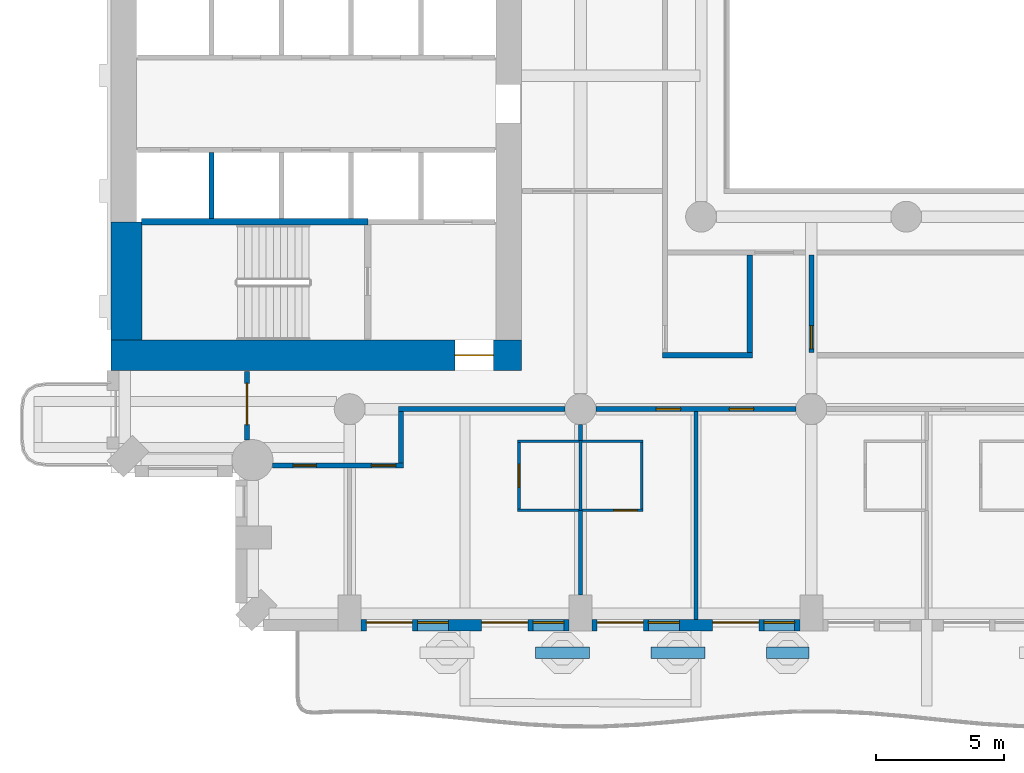
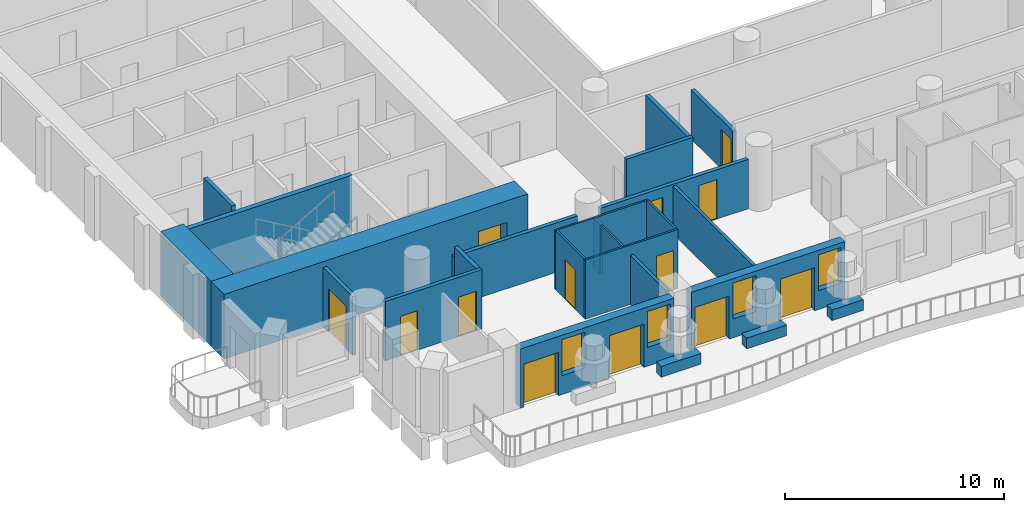
# One storey, part 3 of 20: 25 walls, 13 doors, 4 windows, 17 openings.
"""IFC4 building model written with IfcOpenShell, lengths in metres."""

from ifc_helpers import new_model, si_unit, direction, frame, frame_2d, origin, place, context, subcontext, project, spatial, rectangle, extrude, material, layer, layer_set, type_object, element, fill, save


model = new_model("IFC4")

# Units and contexts
model_context = context("Model", 3, precision=1e-05, world=origin(), true_north=direction((0.0, 1.0)))
body_context = subcontext(model_context, "Body", "Model", "MODEL_VIEW")
ifc_project = project(units=[si_unit("LENGTHUNIT", "METRE"), si_unit("AREAUNIT", "SQUARE_METRE"), si_unit("VOLUMEUNIT", "CUBIC_METRE"), si_unit("PLANEANGLEUNIT", "RADIAN"), si_unit("MASSUNIT", "GRAM", prefix="KILO")], contexts=[model_context])

# Site, building, storey
site_placement = place(None, origin())
site = spatial("IfcSite", under=ifc_project, at=site_placement, CompositionType="ELEMENT")
building_placement = place(site_placement, origin())
building = spatial("IfcBuilding", under=site, at=building_placement, Name="Cypress Arch Tower", CompositionType="ELEMENT")
storey_placement = place(building_placement, frame((0.0, 0.0, 62.699951171875)))
storey = spatial("IfcBuildingStorey", under=building, at=storey_placement, Name="L09", CompositionType="ELEMENT", Elevation=62.699951171875)

# Walls
ifc_material_1 = material(Name="Concrete C40/50, waterproofed", Category="concrete")
ifc_layer_1 = layer(ifc_material_1, 0.449951171875)
ifc_layer_set_1 = layer_set([ifc_layer_1], Name="Balcony planter wall PW450")
wall_type_1 = type_object("IfcWallType", Name="Balcony planter wall PW450", PredefinedType="SOLIDWALL", material=ifc_layer_set_1)
for number, where, z_axis, x_axis, name in (
    (1, (-13.449951171875, -27.0, 0.0), (0.0, 0.0, 1.0), (1.0, 0.0, 0.0), "Balcony planter wall L09-A03.2"),
    (2, (-8.949951171875, -27.0, 0.0), (0.0, 0.0, 1.0), (1.0, 0.0, 0.0), "Balcony planter wall L09-A03.3"),
):
    element("IfcWall", number, at=place(storey_placement, frame(where, z_axis=z_axis, x_axis=x_axis)), inside=storey, type_object=wall_type_1, Name=name, PredefinedType="SOLIDWALL", context=body_context, shape_type="SweptSolid", body=[
        extrude(rectangle(XDim=2.099853515625, YDim=0.449951171875, at=frame_2d((1.0498046875, 0.0))), origin(), (0.0, 0.0, 1.0), 0.60009765625),
    ])
wall_1_placement = place(storey_placement, frame((-4.449951171875, -27.0, 0.0), z_axis=(0.0, 0.0, 1.0), x_axis=(1.0, 0.0, 0.0)))
element("IfcWall", 3, at=wall_1_placement, inside=storey, type_object=wall_type_1, Name="Balcony planter wall L09-A03.4", PredefinedType="SOLIDWALL", context=body_context, shape_type="SweptSolid", body=[
    extrude(rectangle(XDim=1.64990234375, YDim=0.449951171875, at=frame_2d((0.824951171875, 0.0))), origin(), (0.0, 0.0, 1.0), 0.60009765625),
])

# Wall, openings, doors, windows
ifc_material_2 = material(Name="Brick (red buff blend)", Category="masonry")
ifc_layer_2 = layer(ifc_material_2, 0.449951171875)
ifc_layer_set_2 = layer_set([ifc_layer_2], Name="Brick pier and spandrel wall BW450")
wall_type_2 = type_object("IfcWallType", Name="Brick pier and spandrel wall BW450", PredefinedType="SOLIDWALL", material=ifc_layer_set_2)
wall_2_placement = place(storey_placement, frame((-20.25, -25.925048828125, 0.0), z_axis=(0.0, 0.0, 1.0), x_axis=(1.0, 0.0, 0.0)))
wall_2 = element("IfcWall", 4, at=wall_2_placement, inside=storey, type_object=wall_type_2, Name="Brick wall L09 A03.1", PredefinedType="SOLIDWALL", context=body_context, shape_type="SweptSolid", body=[
    extrude(rectangle(XDim=8.10009765625, YDim=0.449951171875, at=frame_2d((4.050048828125, 0.0))), origin(), (0.0, 0.0, 1.0), 3.300048828125),
])
opening_1_placement = place(wall_2_placement, frame((0.199951171875, 0.0, 0.0)))
opening_1 = element("IfcOpeningElement", 5, at=opening_1_placement, cuts=wall_2, Name="Opening D-L09-A03.1.1", PredefinedType="OPENING", context=body_context, shape_type="SweptSolid", body=[
    extrude(rectangle(XDim=1.800048828125, YDim=2.39990234375, at=frame_2d((0.89990234375, 1.199951171875))), frame((0.0, 0.23486328125, 0.0), z_axis=(0.0, -1.0, 0.0), x_axis=(1.0, 0.0, 0.0)), (0.0, 0.0, 1.0), 0.469970703125),
])
opening_2_placement = place(wall_2_placement, frame((2.199951171875, 0.0, 1.050048828125)))
opening_2 = element("IfcOpeningElement", 6, at=opening_2_placement, cuts=wall_2, Name="Opening W120HD", PredefinedType="OPENING", context=body_context, shape_type="SweptSolid", body=[
    extrude(rectangle(XDim=1.199951171875, YDim=2.0, at=frame_2d((0.60009765625, 1.0))), frame((0.0, 0.23486328125, 0.0), z_axis=(0.0, -1.0, 0.0), x_axis=(1.0, 0.0, 0.0)), (0.0, 0.0, 1.0), 0.469970703125),
])
opening_3_placement = place(wall_2_placement, frame((4.699951171875, 0.0, 0.0)))
opening_3 = element("IfcOpeningElement", 7, at=opening_3_placement, cuts=wall_2, Name="Opening D-L09-A03.1.2", PredefinedType="OPENING", context=body_context, shape_type="SweptSolid", body=[
    extrude(rectangle(XDim=1.800048828125, YDim=2.39990234375, at=frame_2d((0.89990234375, 1.199951171875))), frame((0.0, 0.23486328125, 0.0), z_axis=(0.0, -1.0, 0.0), x_axis=(1.0, 0.0, 0.0)), (0.0, 0.0, 1.0), 0.469970703125),
])
opening_4_placement = place(wall_2_placement, frame((6.699951171875, 0.0, 1.050048828125)))
opening_4 = element("IfcOpeningElement", 8, at=opening_4_placement, cuts=wall_2, Name="Opening W120HD", PredefinedType="OPENING", context=body_context, shape_type="SweptSolid", body=[
    extrude(rectangle(XDim=1.199951171875, YDim=2.0, at=frame_2d((0.60009765625, 1.0))), frame((0.0, 0.23486328125, 0.0), z_axis=(0.0, -1.0, 0.0), x_axis=(1.0, 0.0, 0.0)), (0.0, 0.0, 1.0), 0.469970703125),
])
ifc_material_3 = material(Name="Anodised aluminium, bronze finish, laminated low-emissivity double glazing, large-missile impact rated", Category="aluminium")
door_type_1 = type_object("IfcDoorType", Name="Balcony sliding door 1800x2400", OperationType="SLIDING_TO_LEFT", PredefinedType="DOOR", material=ifc_material_3)
door_1_placement = place(opening_1_placement, origin())
door_1 = element("IfcDoor", 9, at=door_1_placement, inside=storey, type_object=door_type_1, Name="Balcony door L09 A03.1.1", OperationType="SLIDING_TO_LEFT", OverallHeight=2.39990234375, OverallWidth=1.800048828125, PredefinedType="DOOR", context=body_context, shape_type="SweptSolid", body=[
    extrude(rectangle(XDim=1.800048828125, YDim=2.39990234375, at=frame_2d((0.89990234375, 1.199951171875))), frame((0.0, 0.1298828125, 0.0), z_axis=(0.0, -1.0, 0.0), x_axis=(1.0, 0.0, 0.0)), (0.0, 0.0, 1.0), 0.050048828125),
])
fill(opening_1, door_1)
door_2_placement = place(opening_3_placement, origin())
door_2 = element("IfcDoor", 10, at=door_2_placement, inside=storey, type_object=door_type_1, Name="Balcony door L09 A03.1.2", OperationType="SLIDING_TO_LEFT", OverallHeight=2.39990234375, OverallWidth=1.800048828125, PredefinedType="DOOR", context=body_context, shape_type="SweptSolid", body=[
    extrude(rectangle(XDim=1.800048828125, YDim=2.39990234375, at=frame_2d((0.89990234375, 1.199951171875))), frame((0.0, 0.1298828125, 0.0), z_axis=(0.0, -1.0, 0.0), x_axis=(1.0, 0.0, 0.0)), (0.0, 0.0, 1.0), 0.050048828125),
])
fill(opening_3, door_2)
ifc_material_4 = material(Name="Anodised aluminium, bronze finish, laminated low-emissivity double glazing, large-missile impact rated", Category="aluminium")
window_type = type_object("IfcWindowType", Name="Window Hotel 1200x2000 debris-rated", PartitioningType="SINGLE_PANEL", PredefinedType="WINDOW", material=ifc_material_4)
window_1_placement = place(opening_2_placement, origin())
window_1 = element("IfcWindow", 11, at=window_1_placement, inside=storey, type_object=window_type, Name="Window L09 A03.1.1", OverallHeight=2.0, OverallWidth=1.199951171875, PartitioningType="SINGLE_PANEL", PredefinedType="WINDOW", context=body_context, shape_type="SweptSolid", body=[
    extrude(rectangle(XDim=1.199951171875, YDim=2.0, at=frame_2d((0.60009765625, 1.0))), frame((0.0, 0.135009765625, 0.0), z_axis=(0.0, -1.0, 0.0), x_axis=(1.0, 0.0, 0.0)), (0.0, 0.0, 1.0), 0.06005859375),
])
fill(opening_2, window_1)
window_2_placement = place(opening_4_placement, origin())
window_2 = element("IfcWindow", 12, at=window_2_placement, inside=storey, type_object=window_type, Name="Window L09 A03.1.2", OverallHeight=2.0, OverallWidth=1.199951171875, PartitioningType="SINGLE_PANEL", PredefinedType="WINDOW", context=body_context, shape_type="SweptSolid", body=[
    extrude(rectangle(XDim=1.199951171875, YDim=2.0, at=frame_2d((0.60009765625, 1.0))), frame((0.0, 0.135009765625, 0.0), z_axis=(0.0, -1.0, 0.0), x_axis=(1.0, 0.0, 0.0)), (0.0, 0.0, 1.0), 0.06005859375),
])
fill(opening_4, window_2)

wall_3_placement = place(storey_placement, frame((-11.25, -25.925048828125, 0.0), z_axis=(0.0, 0.0, 1.0), x_axis=(1.0, 0.0, 0.0)))
wall_3 = element("IfcWall", 13, at=wall_3_placement, inside=storey, type_object=wall_type_2, Name="Brick wall L09 A03.2", PredefinedType="SOLIDWALL", context=body_context, shape_type="SweptSolid", body=[
    extrude(rectangle(XDim=8.10009765625, YDim=0.449951171875, at=frame_2d((4.050048828125, 0.0))), origin(), (0.0, 0.0, 1.0), 3.300048828125),
])
opening_5_placement = place(wall_3_placement, frame((0.199951171875, 0.0, 0.0)))
opening_5 = element("IfcOpeningElement", 14, at=opening_5_placement, cuts=wall_3, Name="Opening D-L09-A03.2.1", PredefinedType="OPENING", context=body_context, shape_type="SweptSolid", body=[
    extrude(rectangle(XDim=1.800048828125, YDim=2.39990234375, at=frame_2d((0.89990234375, 1.199951171875))), frame((0.0, 0.23486328125, 0.0), z_axis=(0.0, -1.0, 0.0), x_axis=(1.0, 0.0, 0.0)), (0.0, 0.0, 1.0), 0.469970703125),
])
opening_6_placement = place(wall_3_placement, frame((2.199951171875, 0.0, 1.050048828125)))
opening_6 = element("IfcOpeningElement", 15, at=opening_6_placement, cuts=wall_3, Name="Opening W120HD", PredefinedType="OPENING", context=body_context, shape_type="SweptSolid", body=[
    extrude(rectangle(XDim=1.199951171875, YDim=2.0, at=frame_2d((0.60009765625, 1.0))), frame((0.0, 0.23486328125, 0.0), z_axis=(0.0, -1.0, 0.0), x_axis=(1.0, 0.0, 0.0)), (0.0, 0.0, 1.0), 0.469970703125),
])
opening_7_placement = place(wall_3_placement, frame((4.699951171875, 0.0, 0.0)))
opening_7 = element("IfcOpeningElement", 16, at=opening_7_placement, cuts=wall_3, Name="Opening D-L09-A03.2.2", PredefinedType="OPENING", context=body_context, shape_type="SweptSolid", body=[
    extrude(rectangle(XDim=1.800048828125, YDim=2.39990234375, at=frame_2d((0.89990234375, 1.199951171875))), frame((0.0, 0.23486328125, 0.0), z_axis=(0.0, -1.0, 0.0), x_axis=(1.0, 0.0, 0.0)), (0.0, 0.0, 1.0), 0.469970703125),
])
opening_8_placement = place(wall_3_placement, frame((6.699951171875, 0.0, 1.050048828125)))
opening_8 = element("IfcOpeningElement", 17, at=opening_8_placement, cuts=wall_3, Name="Opening W120HD", PredefinedType="OPENING", context=body_context, shape_type="SweptSolid", body=[
    extrude(rectangle(XDim=1.199951171875, YDim=2.0, at=frame_2d((0.60009765625, 1.0))), frame((0.0, 0.23486328125, 0.0), z_axis=(0.0, -1.0, 0.0), x_axis=(1.0, 0.0, 0.0)), (0.0, 0.0, 1.0), 0.469970703125),
])
door_3_placement = place(opening_5_placement, origin())
door_3 = element("IfcDoor", 18, at=door_3_placement, inside=storey, type_object=door_type_1, Name="Balcony door L09 A03.2.1", OperationType="SLIDING_TO_LEFT", OverallHeight=2.39990234375, OverallWidth=1.800048828125, PredefinedType="DOOR", context=body_context, shape_type="SweptSolid", body=[
    extrude(rectangle(XDim=1.800048828125, YDim=2.39990234375, at=frame_2d((0.89990234375, 1.199951171875))), frame((0.0, 0.1298828125, 0.0), z_axis=(0.0, -1.0, 0.0), x_axis=(1.0, 0.0, 0.0)), (0.0, 0.0, 1.0), 0.050048828125),
])
fill(opening_5, door_3)
door_4_placement = place(opening_7_placement, origin())
door_4 = element("IfcDoor", 19, at=door_4_placement, inside=storey, type_object=door_type_1, Name="Balcony door L09 A03.2.2", OperationType="SLIDING_TO_LEFT", OverallHeight=2.39990234375, OverallWidth=1.800048828125, PredefinedType="DOOR", context=body_context, shape_type="SweptSolid", body=[
    extrude(rectangle(XDim=1.800048828125, YDim=2.39990234375, at=frame_2d((0.89990234375, 1.199951171875))), frame((0.0, 0.1298828125, 0.0), z_axis=(0.0, -1.0, 0.0), x_axis=(1.0, 0.0, 0.0)), (0.0, 0.0, 1.0), 0.050048828125),
])
fill(opening_7, door_4)
window_3_placement = place(opening_6_placement, origin())
window_3 = element("IfcWindow", 20, at=window_3_placement, inside=storey, type_object=window_type, Name="Window L09 A03.2.1", OverallHeight=2.0, OverallWidth=1.199951171875, PartitioningType="SINGLE_PANEL", PredefinedType="WINDOW", context=body_context, shape_type="SweptSolid", body=[
    extrude(rectangle(XDim=1.199951171875, YDim=2.0, at=frame_2d((0.60009765625, 1.0))), frame((0.0, 0.135009765625, 0.0), z_axis=(0.0, -1.0, 0.0), x_axis=(1.0, 0.0, 0.0)), (0.0, 0.0, 1.0), 0.06005859375),
])
fill(opening_6, window_3)
window_4_placement = place(opening_8_placement, origin())
window_4 = element("IfcWindow", 21, at=window_4_placement, inside=storey, type_object=window_type, Name="Window L09 A03.2.2", OverallHeight=2.0, OverallWidth=1.199951171875, PartitioningType="SINGLE_PANEL", PredefinedType="WINDOW", context=body_context, shape_type="SweptSolid", body=[
    extrude(rectangle(XDim=1.199951171875, YDim=2.0, at=frame_2d((0.60009765625, 1.0))), frame((0.0, 0.135009765625, 0.0), z_axis=(0.0, -1.0, 0.0), x_axis=(1.0, 0.0, 0.0)), (0.0, 0.0, 1.0), 0.06005859375),
])
fill(opening_8, window_4)

# Wall, opening, door
ifc_material_5 = material(Name="Concrete C80/95", Category="concrete")
ifc_layer_3 = layer(ifc_material_5, 1.199951171875)
ifc_layer_set_3 = layer_set([ifc_layer_3], Name="Core wall CW1200 C80/95")
wall_type_3 = type_object("IfcWallType", Name="Core wall CW1200 C80/95", PredefinedType="SHEAR", material=ifc_layer_set_3)
wall_4_placement = place(storey_placement, frame((-30.0, -15.39990234375, 0.0), z_axis=(0.0, 0.0, 1.0), x_axis=(1.0, 0.0, 0.0)))
wall_4 = element("IfcWall", 22, at=wall_4_placement, inside=storey, type_object=wall_type_3, Name="Core wall", PredefinedType="SHEAR", context=body_context, shape_type="SweptSolid", body=[
    extrude(rectangle(XDim=16.0, YDim=1.199951171875, at=frame_2d((8.0, 0.0))), origin(), (0.0, 0.0, 1.0), 3.60009765625),
])
opening_9_placement = place(wall_4_placement, frame((13.39990234375, 0.0, 0.0)))
opening_9 = element("IfcOpeningElement", 23, at=opening_9_placement, cuts=wall_4, Name="Opening D07", PredefinedType="OPENING", context=body_context, shape_type="SweptSolid", body=[
    extrude(rectangle(XDim=1.5, YDim=2.39990234375, at=frame_2d((0.75, 1.199951171875))), frame((0.0, 0.60986328125, 0.0), z_axis=(0.0, -1.0, 0.0), x_axis=(1.0, 0.0, 0.0)), (0.0, 0.0, 1.0), 1.219970703125),
])
ifc_material_6 = material(Name="Steel framed glazed door, fire resisting", Category="steel")
door_type_2 = type_object("IfcDoorType", Name="Lobby door D07 1500x2400", OperationType="DOUBLE_DOOR_SINGLE_SWING", PredefinedType="DOOR", material=ifc_material_6)
door_5_placement = place(opening_9_placement, origin())
door_5 = element("IfcDoor", 24, at=door_5_placement, inside=storey, type_object=door_type_2, Name="Lobby door", OperationType="DOUBLE_DOOR_SINGLE_SWING", OverallHeight=2.39990234375, OverallWidth=1.5, PredefinedType="DOOR", context=body_context, shape_type="SweptSolid", body=[
    extrude(rectangle(XDim=1.5, YDim=2.39990234375, at=frame_2d((0.75, 1.199951171875))), frame((0.0, 0.02490234375, 0.0), z_axis=(0.0, -1.0, 0.0), x_axis=(1.0, 0.0, 0.0)), (0.0, 0.0, 1.0), 0.050048828125),
])
fill(opening_9, door_5)

# Wall
wall_5_placement = place(storey_placement, frame((-29.39990234375, -14.800048828125, 0.0), z_axis=(0.0, 0.0, 1.0), x_axis=(0.0, 1.0, 0.0)))
element("IfcWall", 25, at=wall_5_placement, inside=storey, type_object=wall_type_3, Name="Core wall", PredefinedType="SHEAR", context=body_context, shape_type="SweptSolid", body=[
    extrude(rectangle(XDim=4.60009765625, YDim=1.199951171875, at=frame_2d((2.300048828125, 0.0))), origin(), (0.0, 0.0, 1.0), 3.60009765625),
])

# Wall, opening, door
ifc_material_7 = material(Name="Concrete blockwork, plastered, rated", Category="masonry")
ifc_layer_4 = layer(ifc_material_7, 0.199951171875)
ifc_layer_set_4 = layer_set([ifc_layer_4], Name="Corridor wall FW200")
wall_type_4 = type_object("IfcWallType", Name="Corridor wall FW200", PredefinedType="PARTITIONING", material=ifc_layer_set_4)
wall_6_placement = place(storey_placement, frame((-24.699951171875, -18.7001953125, 0.0), z_axis=(0.0, 0.0, 1.0), x_axis=(0.0, 1.0, 0.0)))
wall_6 = element("IfcWall", 26, at=wall_6_placement, inside=storey, type_object=wall_type_4, Name="Corridor wall", PredefinedType="PARTITIONING", context=body_context, shape_type="SweptSolid", body=[
    extrude(rectangle(XDim=2.670166015625, YDim=0.199951171875, at=frame_2d((1.3349609375, 0.0))), origin(), (0.0, 0.0, 1.0), 3.300048828125),
])
opening_10_placement = place(wall_6_placement, frame((0.60009765625, 0.0, 0.0)))
opening_10 = element("IfcOpeningElement", 27, at=opening_10_placement, cuts=wall_6, Name="Opening D10", PredefinedType="OPENING", context=body_context, shape_type="SweptSolid", body=[
    extrude(rectangle(XDim=1.60009765625, YDim=2.39990234375, at=frame_2d((0.800048828125, 1.199951171875))), frame((0.0, 0.10986328125, 0.0), z_axis=(0.0, -1.0, 0.0), x_axis=(1.0, 0.0, 0.0)), (0.0, 0.0, 1.0), 0.219970703125),
])
ifc_material_8 = material(Name="Black aluminium glazed door", Category="aluminium")
door_type_3 = type_object("IfcDoorType", Name="Amenity door D10 1600x2400", OperationType="DOUBLE_DOOR_SINGLE_SWING", PredefinedType="DOOR", material=ifc_material_8)
door_6_placement = place(opening_10_placement, origin())
door_6 = element("IfcDoor", 28, at=door_6_placement, inside=storey, type_object=door_type_3, Name="Amenity door", OperationType="DOUBLE_DOOR_SINGLE_SWING", OverallHeight=2.39990234375, OverallWidth=1.60009765625, PredefinedType="DOOR", context=body_context, shape_type="SweptSolid", body=[
    extrude(rectangle(XDim=1.60009765625, YDim=2.39990234375, at=frame_2d((0.800048828125, 1.199951171875))), frame((0.0, 0.02490234375, 0.0), z_axis=(0.0, -1.0, 0.0), x_axis=(1.0, 0.0, 0.0)), (0.0, 0.0, 1.0), 0.050048828125),
])
fill(opening_10, door_6)

# Wall, openings, doors
wall_7_placement = place(storey_placement, frame((-23.7001953125, -19.699951171875, 0.0), z_axis=(0.0, 0.0, 1.0), x_axis=(1.0, 0.0, 0.0)))
wall_7 = element("IfcWall", 29, at=wall_7_placement, inside=storey, type_object=wall_type_4, Name="Corridor wall", PredefinedType="PARTITIONING", context=body_context, shape_type="SweptSolid", body=[
    extrude(rectangle(XDim=5.10009765625, YDim=0.199951171875, at=frame_2d((2.550048828125, 0.0))), origin(), (0.0, 0.0, 1.0), 3.300048828125),
])
opening_11_placement = place(wall_7_placement, frame((0.800048828125, 0.0, 0.0)))
opening_11 = element("IfcOpeningElement", 30, at=opening_11_placement, cuts=wall_7, Name="Opening D05", PredefinedType="OPENING", context=body_context, shape_type="SweptSolid", body=[
    extrude(rectangle(XDim=0.89990234375, YDim=2.199951171875, at=frame_2d((0.449951171875, 1.10009765625))), frame((0.0, 0.10986328125, 0.0), z_axis=(0.0, -1.0, 0.0), x_axis=(1.0, 0.0, 0.0)), (0.0, 0.0, 1.0), 0.219970703125),
])
opening_12_placement = place(wall_7_placement, frame((3.85009765625, 0.0, 0.0)))
opening_12 = element("IfcOpeningElement", 31, at=opening_12_placement, cuts=wall_7, Name="Opening D02", PredefinedType="OPENING", context=body_context, shape_type="SweptSolid", body=[
    extrude(rectangle(XDim=0.949951171875, YDim=2.199951171875, at=frame_2d((0.47509765625, 1.10009765625))), frame((0.0, 0.10986328125, 0.0), z_axis=(0.0, -1.0, 0.0), x_axis=(1.0, 0.0, 0.0)), (0.0, 0.0, 1.0), 0.219970703125),
])
ifc_material_9 = material(Name="Timber flush door, fire resisting", Category="wood")
door_type_4 = type_object("IfcDoorType", Name="Room door D02 950x2200", OperationType="SINGLE_SWING_LEFT", PredefinedType="DOOR", material=ifc_material_9)
door_7_placement = place(opening_12_placement, origin())
door_7 = element("IfcDoor", 32, at=door_7_placement, inside=storey, type_object=door_type_4, Name="Room door", OperationType="SINGLE_SWING_RIGHT", OverallHeight=2.199951171875, OverallWidth=0.949951171875, PredefinedType="DOOR", context=body_context, shape_type="SweptSolid", body=[
    extrude(rectangle(XDim=0.949951171875, YDim=2.199951171875, at=frame_2d((0.47509765625, 1.10009765625))), frame((0.0, 0.02490234375, 0.0), z_axis=(0.0, -1.0, 0.0), x_axis=(1.0, 0.0, 0.0)), (0.0, 0.0, 1.0), 0.050048828125),
])
fill(opening_12, door_7)
ifc_material_10 = material(Name="Timber flush door", Category="wood")
door_type_5 = type_object("IfcDoorType", Name="Service door D05 900x2200", OperationType="SINGLE_SWING_LEFT", PredefinedType="DOOR", material=ifc_material_10)
door_8_placement = place(opening_11_placement, origin())
door_8 = element("IfcDoor", 33, at=door_8_placement, inside=storey, type_object=door_type_5, Name="Service door", OperationType="SINGLE_SWING_RIGHT", OverallHeight=2.199951171875, OverallWidth=0.89990234375, PredefinedType="DOOR", context=body_context, shape_type="SweptSolid", body=[
    extrude(rectangle(XDim=0.89990234375, YDim=2.199951171875, at=frame_2d((0.449951171875, 1.10009765625))), frame((0.0, 0.02490234375, 0.0), z_axis=(0.0, -1.0, 0.0), x_axis=(1.0, 0.0, 0.0)), (0.0, 0.0, 1.0), 0.050048828125),
])
fill(opening_11, door_8)

# Walls
wall_8_placement = place(storey_placement, frame((-18.699951171875, -19.60009765625, 0.0), z_axis=(0.0, 0.0, 1.0), x_axis=(0.0, 1.0, 0.0)))
element("IfcWall", 34, at=wall_8_placement, inside=storey, type_object=wall_type_4, Name="Corridor wall", PredefinedType="PARTITIONING", context=body_context, shape_type="SweptSolid", body=[
    extrude(rectangle(XDim=2.0, YDim=0.199951171875, at=frame_2d((1.0, 0.0))), origin(), (0.0, 0.0, 1.0), 3.300048828125),
])
wall_9_placement = place(storey_placement, frame((-18.800048828125, -17.5, 0.0), z_axis=(0.0, 0.0, 1.0), x_axis=(1.0, 0.0, 0.0)))
element("IfcWall", 35, at=wall_9_placement, inside=storey, type_object=wall_type_4, Name="Corridor wall", PredefinedType="PARTITIONING", context=body_context, shape_type="SweptSolid", body=[
    extrude(rectangle(XDim=6.5, YDim=0.199951171875, at=frame_2d((3.25, 0.0))), origin(), (0.0, 0.0, 1.0), 2.75),
])

# Wall, openings, doors
wall_10_placement = place(storey_placement, frame((-11.10009765625, -17.5, 0.0), z_axis=(0.0, 0.0, 1.0), x_axis=(1.0, 0.0, 0.0)))
wall_10 = element("IfcWall", 36, at=wall_10_placement, inside=storey, type_object=wall_type_4, Name="Corridor wall", PredefinedType="PARTITIONING", context=body_context, shape_type="SweptSolid", body=[
    extrude(rectangle(XDim=7.800048828125, YDim=0.199951171875, at=frame_2d((3.89990234375, 0.0))), origin(), (0.0, 0.0, 1.0), 2.75),
])
opening_13_placement = place(wall_10_placement, frame((2.35009765625, 0.0, 0.0)))
opening_13 = element("IfcOpeningElement", 37, at=opening_13_placement, cuts=wall_10, Name="Opening D02", PredefinedType="OPENING", context=body_context, shape_type="SweptSolid", body=[
    extrude(rectangle(XDim=0.949951171875, YDim=2.199951171875, at=frame_2d((0.47509765625, 1.10009765625))), frame((0.0, 0.10986328125, 0.0), z_axis=(0.0, -1.0, 0.0), x_axis=(1.0, 0.0, 0.0)), (0.0, 0.0, 1.0), 0.219970703125),
])
opening_14_placement = place(wall_10_placement, frame((5.199951171875, 0.0, 0.0)))
opening_14 = element("IfcOpeningElement", 38, at=opening_14_placement, cuts=wall_10, Name="Opening D02", PredefinedType="OPENING", context=body_context, shape_type="SweptSolid", body=[
    extrude(rectangle(XDim=0.949951171875, YDim=2.199951171875, at=frame_2d((0.47509765625, 1.10009765625))), frame((0.0, 0.10986328125, 0.0), z_axis=(0.0, -1.0, 0.0), x_axis=(1.0, 0.0, 0.0)), (0.0, 0.0, 1.0), 0.219970703125),
])
door_9_placement = place(opening_13_placement, origin())
door_9 = element("IfcDoor", 39, at=door_9_placement, inside=storey, type_object=door_type_4, Name="Room door", OperationType="SINGLE_SWING_LEFT", OverallHeight=2.199951171875, OverallWidth=0.949951171875, PredefinedType="DOOR", context=body_context, shape_type="SweptSolid", body=[
    extrude(rectangle(XDim=0.949951171875, YDim=2.199951171875, at=frame_2d((0.47509765625, 1.10009765625))), frame((0.0, 0.02490234375, 0.0), z_axis=(0.0, -1.0, 0.0), x_axis=(1.0, 0.0, 0.0)), (0.0, 0.0, 1.0), 0.050048828125),
])
fill(opening_13, door_9)
door_10_placement = place(opening_14_placement, origin())
door_10 = element("IfcDoor", 40, at=door_10_placement, inside=storey, type_object=door_type_4, Name="Room door", OperationType="SINGLE_SWING_RIGHT", OverallHeight=2.199951171875, OverallWidth=0.949951171875, PredefinedType="DOOR", context=body_context, shape_type="SweptSolid", body=[
    extrude(rectangle(XDim=0.949951171875, YDim=2.199951171875, at=frame_2d((0.47509765625, 1.10009765625))), frame((0.0, 0.02490234375, 0.0), z_axis=(0.0, -1.0, 0.0), x_axis=(1.0, 0.0, 0.0)), (0.0, 0.0, 1.0), 0.050048828125),
])
fill(opening_14, door_10)

# Walls
wall_11_placement = place(storey_placement, frame((-8.5, -15.39990234375, 0.0), z_axis=(0.0, 0.0, 1.0), x_axis=(1.0, 0.0, 0.0)))
element("IfcWall", 41, at=wall_11_placement, inside=storey, type_object=wall_type_4, Name="Corridor wall", PredefinedType="PARTITIONING", context=body_context, shape_type="SweptSolid", body=[
    extrude(rectangle(XDim=3.5, YDim=0.199951171875, at=frame_2d((1.75, 0.0))), origin(), (0.0, 0.0, 1.0), 3.300048828125),
])
wall_12_placement = place(storey_placement, frame((-5.10009765625, -15.300048828125, 0.0), z_axis=(0.0, 0.0, 1.0), x_axis=(0.0, 1.0, 0.0)))
element("IfcWall", 42, at=wall_12_placement, inside=storey, type_object=wall_type_4, Name="Corridor wall", PredefinedType="PARTITIONING", context=body_context, shape_type="SweptSolid", body=[
    extrude(rectangle(XDim=3.800048828125, YDim=0.199951171875, at=frame_2d((1.89990234375, 0.0))), origin(), (0.0, 0.0, 1.0), 3.300048828125),
])

# Wall, opening, door
wall_13_placement = place(storey_placement, frame((-2.699951171875, -15.300048828125, 0.0), z_axis=(0.0, 0.0, 1.0), x_axis=(0.0, 1.0, 0.0)))
wall_13 = element("IfcWall", 43, at=wall_13_placement, inside=storey, type_object=wall_type_4, Name="Corridor wall", PredefinedType="PARTITIONING", context=body_context, shape_type="SweptSolid", body=[
    extrude(rectangle(XDim=3.800048828125, YDim=0.199951171875, at=frame_2d((1.89990234375, 0.0))), origin(), (0.0, 0.0, 1.0), 2.75),
])
opening_15_placement = place(wall_13_placement, frame((0.14990234375, 0.0, 0.0)))
opening_15 = element("IfcOpeningElement", 44, at=opening_15_placement, cuts=wall_13, Name="Opening D05", PredefinedType="OPENING", context=body_context, shape_type="SweptSolid", body=[
    extrude(rectangle(XDim=0.89990234375, YDim=2.199951171875, at=frame_2d((0.449951171875, 1.10009765625))), frame((0.0, 0.10986328125, 0.0), z_axis=(0.0, -1.0, 0.0), x_axis=(1.0, 0.0, 0.0)), (0.0, 0.0, 1.0), 0.219970703125),
])
door_11_placement = place(opening_15_placement, origin())
door_11 = element("IfcDoor", 45, at=door_11_placement, inside=storey, type_object=door_type_5, Name="Service door", OperationType="SINGLE_SWING_RIGHT", OverallHeight=2.199951171875, OverallWidth=0.89990234375, PredefinedType="DOOR", context=body_context, shape_type="SweptSolid", body=[
    extrude(rectangle(XDim=0.89990234375, YDim=2.199951171875, at=frame_2d((0.449951171875, 1.10009765625))), frame((0.0, 0.02490234375, 0.0), z_axis=(0.0, -1.0, 0.0), x_axis=(1.0, 0.0, 0.0)), (0.0, 0.0, 1.0), 0.050048828125),
])
fill(opening_15, door_11)

# Walls
ifc_material_11 = material(Name="Blockwork, plastered both sides", Category="masonry")
ifc_layer_5 = layer(ifc_material_11, 0.14990234375)
ifc_layer_set_5 = layer_set([ifc_layer_5], Name="Partition PW150")
wall_type_5 = type_object("IfcWallType", Name="Partition PW150", PredefinedType="PARTITIONING", material=ifc_layer_set_5)
wall_14_placement = place(storey_placement, frame((-11.699951171875, -24.75, 0.0), z_axis=(0.0, 0.0, 1.0), x_axis=(0.0, 1.0, 0.0)))
element("IfcWall", 46, at=wall_14_placement, inside=storey, type_object=wall_type_5, Name="Partition", PredefinedType="PARTITIONING", context=body_context, shape_type="SweptSolid", body=[
    extrude(rectangle(XDim=3.300048828125, YDim=0.14990234375, at=frame_2d((1.64990234375, 0.0))), origin(), (0.0, 0.0, 1.0), 2.75),
])
wall_15_placement = place(storey_placement, frame((-11.699951171875, -18.72998046875, 0.0), z_axis=(0.0, 0.0, 1.0), x_axis=(0.0, 1.0, 0.0)))
element("IfcWall", 47, at=wall_15_placement, inside=storey, type_object=wall_type_5, Name="Partition", PredefinedType="PARTITIONING", context=body_context, shape_type="SweptSolid", body=[
    extrude(rectangle(XDim=0.6298828125, YDim=0.14990234375, at=frame_2d((0.31494140625, 0.0))), origin(), (0.0, 0.0, 1.0), 2.75),
])
wall_16_placement = place(storey_placement, frame((-7.199951171875, -25.699951171875, 0.0), z_axis=(0.0, 0.0, 1.0), x_axis=(0.0, 1.0, 0.0)))
element("IfcWall", 48, at=wall_16_placement, inside=storey, type_object=wall_type_5, Name="Partition", PredefinedType="PARTITIONING", context=body_context, shape_type="SweptSolid", body=[
    extrude(rectangle(XDim=8.099853515625, YDim=0.14990234375, at=frame_2d((4.0498046875, 0.0))), origin(), (0.0, 0.0, 1.0), 2.650146484375),
])
ifc_material_12 = material(Name="Concrete C50/60", Category="concrete")
ifc_layer_6 = layer(ifc_material_12, 0.199951171875)
ifc_layer_set_6 = layer_set([ifc_layer_6], Name="Shaft wall SH200")
wall_type_6 = type_object("IfcWallType", Name="Shaft wall SH200", PredefinedType="SHEAR", material=ifc_layer_set_6)
wall_17_placement = place(storey_placement, frame((-26.080078125, -10.074951171875, 0.0), z_axis=(0.0, 0.0, 1.0), x_axis=(0.0, 1.0, 0.0)))
element("IfcWall", 49, at=wall_17_placement, inside=storey, type_object=wall_type_6, Name="Shaft wall", PredefinedType="SHEAR", context=body_context, shape_type="SweptSolid", body=[
    extrude(rectangle(XDim=2.574951171875, YDim=0.199951171875, at=frame_2d((1.28759765625, 0.0))), origin(), (0.0, 0.0, 1.0), 3.60009765625),
])
ifc_material_13 = material(Name="Concrete C50/60", Category="concrete")
ifc_layer_7 = layer(ifc_material_13, 0.25)
ifc_layer_set_7 = layer_set([ifc_layer_7], Name="Stair enclosure wall SW250")
wall_type_7 = type_object("IfcWallType", Name="Stair enclosure wall SW250", PredefinedType="SHEAR", material=ifc_layer_set_7)
wall_18_placement = place(storey_placement, frame((-28.81005859375, -10.199951171875, 0.0), z_axis=(0.0, 0.0, 1.0), x_axis=(1.0, 0.0, 0.0)))
element("IfcWall", 50, at=wall_18_placement, inside=storey, type_object=wall_type_7, Name="Stair enclosure wall", PredefinedType="SHEAR", context=body_context, shape_type="SweptSolid", body=[
    extrude(rectangle(XDim=8.830078125, YDim=0.25, at=frame_2d((4.4150390625, 0.0))), origin(), (0.0, 0.0, 1.0), 3.300048828125),
])

# Wall, opening, door
ifc_material_14 = material(Name="Moisture resistant board on steel studs, tiled", Category="steel")
ifc_layer_8 = layer(ifc_material_14, 0.10009765625)
ifc_layer_set_8 = layer_set([ifc_layer_8], Name="Wet wall PW100")
wall_type_8 = type_object("IfcWallType", Name="Wet wall PW100", PredefinedType="PARTITIONING", material=ifc_layer_set_8)
wall_19_placement = place(storey_placement, frame((-14.095947265625, -21.39990234375, 0.0), z_axis=(0.0, 0.0, 1.0), x_axis=(0.0, 1.0, 0.0)))
wall_19 = element("IfcWall", 51, at=wall_19_placement, inside=storey, type_object=wall_type_8, Name="Wet wall", PredefinedType="PARTITIONING", context=body_context, shape_type="SweptSolid", body=[
    extrude(rectangle(XDim=2.599853515625, YDim=0.10009765625, at=frame_2d((1.2998046875, 0.0))), origin(), (0.0, 0.0, 1.0), 3.300048828125),
])
opening_16_placement = place(wall_19_placement, frame((0.85009765625, 0.0, 0.0)))
opening_16 = element("IfcOpeningElement", 52, at=opening_16_placement, cuts=wall_19, Name="Opening D03", PredefinedType="OPENING", context=body_context, shape_type="SweptSolid", body=[
    extrude(rectangle(XDim=0.89990234375, YDim=2.199951171875, at=frame_2d((0.449951171875, 1.10009765625))), frame((0.0, 0.06005859375, 0.0), z_axis=(0.0, -1.0, 0.0), x_axis=(1.0, 0.0, 0.0)), (0.0, 0.0, 1.0), 0.1201171875),
])
ifc_material_15 = material(Name="Timber flush door, moisture resistant", Category="wood")
door_type_6 = type_object("IfcDoorType", Name="Bathroom door D03 900x2200", OperationType="SINGLE_SWING_LEFT", PredefinedType="DOOR", material=ifc_material_15)
door_12_placement = place(opening_16_placement, origin())
door_12 = element("IfcDoor", 53, at=door_12_placement, inside=storey, type_object=door_type_6, Name="Bathroom door", OperationType="SINGLE_SWING_LEFT", OverallHeight=2.199951171875, OverallWidth=0.89990234375, PredefinedType="DOOR", context=body_context, shape_type="SweptSolid", body=[
    extrude(rectangle(XDim=0.89990234375, YDim=2.199951171875, at=frame_2d((0.449951171875, 1.10009765625))), frame((0.0, 0.02490234375, 0.0), z_axis=(0.0, -1.0, 0.0), x_axis=(1.0, 0.0, 0.0)), (0.0, 0.0, 1.0), 0.050048828125),
])
fill(opening_16, door_12)

wall_20_placement = place(storey_placement, frame((-14.14599609375, -21.449951171875, 0.0), z_axis=(0.0, 0.0, 1.0), x_axis=(1.0, 0.0, 0.0)))
wall_20 = element("IfcWall", 54, at=wall_20_placement, inside=storey, type_object=wall_type_8, Name="Wet wall", PredefinedType="PARTITIONING", context=body_context, shape_type="SweptSolid", body=[
    extrude(rectangle(XDim=4.89208984375, YDim=0.10009765625, at=frame_2d((2.446044921875, 0.0))), origin(), (0.0, 0.0, 1.0), 3.300048828125),
])
opening_17_placement = place(wall_20_placement, frame((3.75, 0.0, 0.0)))
opening_17 = element("IfcOpeningElement", 55, at=opening_17_placement, cuts=wall_20, Name="Opening D03", PredefinedType="OPENING", context=body_context, shape_type="SweptSolid", body=[
    extrude(rectangle(XDim=0.89990234375, YDim=2.199951171875, at=frame_2d((0.449951171875, 1.10009765625))), frame((0.0, 0.06005859375, 0.0), z_axis=(0.0, -1.0, 0.0), x_axis=(1.0, 0.0, 0.0)), (0.0, 0.0, 1.0), 0.1201171875),
])
door_13_placement = place(opening_17_placement, origin())
door_13 = element("IfcDoor", 56, at=door_13_placement, inside=storey, type_object=door_type_6, Name="Bathroom door", OperationType="SINGLE_SWING_RIGHT", OverallHeight=2.199951171875, OverallWidth=0.89990234375, PredefinedType="DOOR", context=body_context, shape_type="SweptSolid", body=[
    extrude(rectangle(XDim=0.89990234375, YDim=2.199951171875, at=frame_2d((0.449951171875, 1.10009765625))), frame((0.0, 0.02490234375, 0.0), z_axis=(0.0, -1.0, 0.0), x_axis=(1.0, 0.0, 0.0)), (0.0, 0.0, 1.0), 0.050048828125),
])
fill(opening_17, door_13)

# Walls
wall_21_placement = place(storey_placement, frame((-14.14599609375, -18.75, 0.0), z_axis=(0.0, 0.0, 1.0), x_axis=(1.0, 0.0, 0.0)))
element("IfcWall", 57, at=wall_21_placement, inside=storey, type_object=wall_type_8, Name="Wet wall", PredefinedType="PARTITIONING", context=body_context, shape_type="SweptSolid", body=[
    extrude(rectangle(XDim=4.89208984375, YDim=0.10009765625, at=frame_2d((2.446044921875, 0.0))), origin(), (0.0, 0.0, 1.0), 3.300048828125),
])
wall_22_placement = place(storey_placement, frame((-11.699951171875, -21.449951171875, 0.0), z_axis=(0.0, 0.0, 1.0), x_axis=(0.0, 1.0, 0.0)))
element("IfcWall", 58, at=wall_22_placement, inside=storey, type_object=wall_type_8, Name="Wet wall", PredefinedType="PARTITIONING", context=body_context, shape_type="SweptSolid", body=[
    extrude(rectangle(XDim=2.719970703125, YDim=0.10009765625, at=frame_2d((1.35986328125, 0.0))), origin(), (0.0, 0.0, 1.0), 2.75),
])
wall_23_placement = place(storey_placement, frame((-9.303955078125, -21.39990234375, 0.0), z_axis=(0.0, 0.0, 1.0), x_axis=(0.0, 1.0, 0.0)))
element("IfcWall", 59, at=wall_23_placement, inside=storey, type_object=wall_type_8, Name="Wet wall", PredefinedType="PARTITIONING", context=body_context, shape_type="SweptSolid", body=[
    extrude(rectangle(XDim=2.599853515625, YDim=0.10009765625, at=frame_2d((1.2998046875, 0.0))), origin(), (0.0, 0.0, 1.0), 3.300048828125),
])

save(model, "model.ifc")
